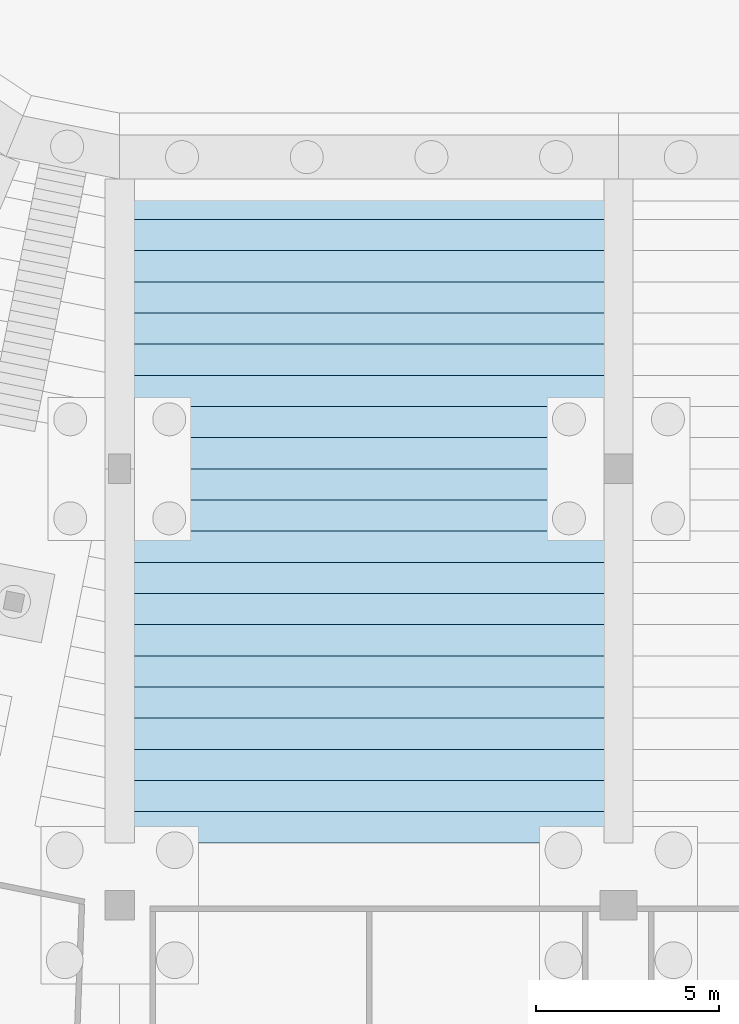
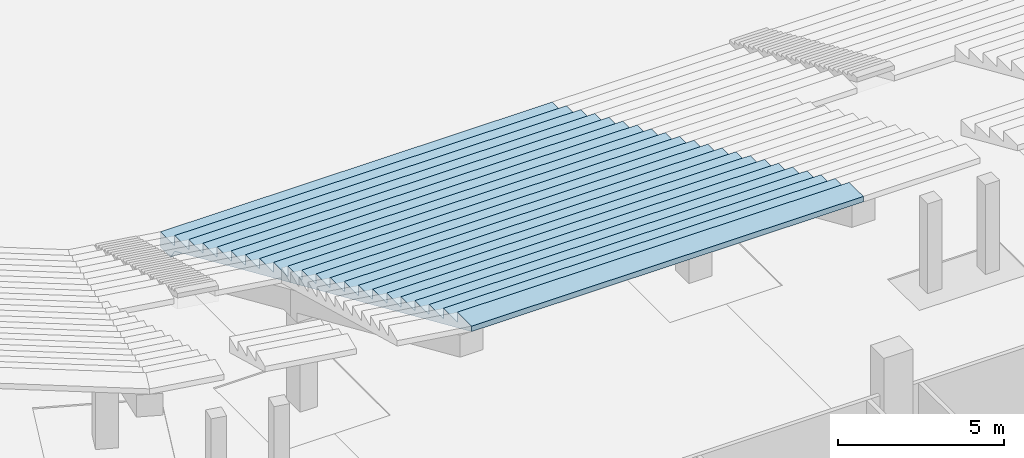
# One storey, part 42 of 115: 1 slab.
"""IFC4 building model written with IfcOpenShell, lengths in metres."""

from ifc_helpers import new_model, si_unit, direction, frame, origin, place, context, subcontext, project, spatial, faceted_brep, material, layer, layer_set, type_object, element, save


model = new_model("IFC4")

# Units and contexts
model_context = context("Model", 3, precision=1e-05, world=origin(), true_north=direction((0.0, 1.0)))
body_context = subcontext(model_context, "Body", "Model", "MODEL_VIEW")
ifc_project = project(units=[si_unit("LENGTHUNIT", "METRE"), si_unit("AREAUNIT", "SQUARE_METRE"), si_unit("VOLUMEUNIT", "CUBIC_METRE"), si_unit("PLANEANGLEUNIT", "RADIAN"), si_unit("MASSUNIT", "GRAM", prefix="KILO")], contexts=[model_context])

# Site, building, storey
site_placement = place(None, origin())
site = spatial("IfcSite", under=ifc_project, at=site_placement, CompositionType="ELEMENT")
building_placement = place(site_placement, origin())
building = spatial("IfcBuilding", under=site, at=building_placement, Name="Ogive Plaza Stadium", CompositionType="ELEMENT")
storey_placement = place(building_placement, frame((0.0, 0.0, -4.5)))
storey = spatial("IfcBuildingStorey", under=building, at=storey_placement, Name="B1", CompositionType="ELEMENT", Elevation=-4.5)

# Slab
ifc_material = material(Name="Concrete C45/55 precast", Category="concrete")
ifc_layer = layer(ifc_material, 0.574951171875)
ifc_layer_set = layer_set([ifc_layer], Name="Concrete C45/55 precast")
slab_type = type_object("IfcSlabType", Name="Seating tier LT 575", PredefinedType="USERDEFINED", material=ifc_layer_set)
slab_placement = place(storey_placement, origin())
element("IfcSlab", 1, at=slab_placement, inside=storey, type_object=slab_type, Name="Stand LT B16", ObjectType="SEATING TIER", PredefinedType="USERDEFINED", context=body_context, shape_type="Brep", body=[
    faceted_brep([(-34.0, -60.0, 1.125), (-34.0, -60.60009765625, 1.125), (-20.39990234375, -60.60009765625, 1.125), (-20.39990234375, -60.0, 1.125), (-34.0, -60.85009765625, 1.125), (-20.39990234375, -60.85009765625, 1.125), (-34.0, -60.60009765625, 0.550048828125), (-20.39990234375, -60.0, 0.550048828125), (-20.39990234375, -60.60009765625, 0.550048828125), (-34.0, -60.0, 0.550048828125), (-20.39990234375, -60.85009765625, 0.925048828125), (-20.39990234375, -60.85009765625, 1.5), (-20.39990234375, -61.699951171875, 1.5), (-20.39990234375, -61.699951171875, 1.300048828125), (-20.39990234375, -61.699951171875, 1.875), (-20.39990234375, -62.550048828125, 1.875), (-20.39990234375, -62.550048828125, 1.675048828125), (-20.39990234375, -62.550048828125, 2.25), (-20.39990234375, -63.39990234375, 2.25), (-20.39990234375, -63.39990234375, 2.050048828125), (-20.39990234375, -63.39990234375, 2.625), (-20.39990234375, -64.25, 2.625), (-20.39990234375, -64.25, 2.425048828125), (-20.39990234375, -64.25, 3.0), (-20.39990234375, -65.10009765625, 3.0), (-20.39990234375, -65.10009765625, 2.800048828125), (-20.39990234375, -65.10009765625, 3.375), (-20.39990234375, -65.949951171875, 3.375), (-20.39990234375, -65.949951171875, 3.175048828125), (-20.39990234375, -65.949951171875, 3.75), (-20.39990234375, -66.800048828125, 3.75), (-20.39990234375, -66.800048828125, 3.550048828125), (-20.39990234375, -66.800048828125, 4.125), (-20.39990234375, -67.64990234375, 4.125), (-20.39990234375, -67.64990234375, 3.925048828125), (-20.39990234375, -67.64990234375, 4.5), (-20.39990234375, -68.5, 4.5), (-20.39990234375, -68.5, 4.300048828125), (-20.39990234375, -68.5, 4.875), (-20.39990234375, -69.35009765625, 4.875), (-20.39990234375, -69.35009765625, 4.675048828125), (-20.39990234375, -69.35009765625, 5.25), (-20.39990234375, -70.199951171875, 5.25), (-20.39990234375, -70.199951171875, 5.050048828125), (-20.39990234375, -70.199951171875, 5.625), (-20.39990234375, -71.050048828125, 5.625), (-20.39990234375, -71.050048828125, 5.425048828125), (-20.39990234375, -71.050048828125, 6.0), (-20.39990234375, -71.89990234375, 6.0), (-20.39990234375, -71.89990234375, 5.800048828125), (-20.39990234375, -71.89990234375, 6.375), (-20.39990234375, -72.75, 6.375), (-20.39990234375, -72.75, 6.175048828125), (-20.39990234375, -72.75, 6.75), (-20.39990234375, -73.60009765625, 6.75), (-20.39990234375, -73.60009765625, 6.550048828125), (-20.39990234375, -73.60009765625, 7.125), (-20.39990234375, -74.449951171875, 7.125), (-20.39990234375, -74.449951171875, 6.925048828125), (-20.39990234375, -74.449951171875, 7.5), (-20.39990234375, -75.300048828125, 7.5), (-20.39990234375, -75.300048828125, 7.300048828125), (-20.39990234375, -75.300048828125, 7.875), (-20.39990234375, -76.14990234375, 7.875), (-20.39990234375, -76.14990234375, 7.675048828125), (-20.39990234375, -76.14990234375, 8.25), (-20.39990234375, -77.0, 8.25), (-20.39990234375, -77.0, 8.050048828125), (-20.39990234375, -77.0, 8.625), (-20.39990234375, -77.85009765625, 8.625), (-20.39990234375, -77.85009765625, 8.425048828125), (-20.39990234375, -77.85009765625, 9.0), (-20.39990234375, -78.699951171875, 9.0), (-20.39990234375, -78.699951171875, 8.800048828125), (-34.0, -60.85009765625, 0.925048828125), (-34.0, -61.699951171875, 1.5), (-34.0, -60.85009765625, 1.5), (-34.0, -61.699951171875, 1.300048828125), (-34.0, -62.550048828125, 1.875), (-34.0, -61.699951171875, 1.875), (-34.0, -62.550048828125, 1.675048828125), (-34.0, -63.39990234375, 2.25), (-34.0, -62.550048828125, 2.25), (-34.0, -63.39990234375, 2.050048828125), (-34.0, -64.25, 2.625), (-34.0, -63.39990234375, 2.625), (-34.0, -64.25, 2.425048828125), (-34.0, -65.10009765625, 3.0), (-34.0, -64.25, 3.0), (-34.0, -65.10009765625, 2.800048828125), (-34.0, -65.949951171875, 3.375), (-34.0, -65.10009765625, 3.375), (-34.0, -65.949951171875, 3.175048828125), (-34.0, -66.800048828125, 3.75), (-34.0, -65.949951171875, 3.75), (-34.0, -66.800048828125, 3.550048828125), (-34.0, -67.64990234375, 4.125), (-34.0, -66.800048828125, 4.125), (-34.0, -67.64990234375, 3.925048828125), (-34.0, -68.5, 4.5), (-34.0, -67.64990234375, 4.5), (-34.0, -68.5, 4.300048828125), (-34.0, -69.35009765625, 4.875), (-34.0, -68.5, 4.875), (-34.0, -69.35009765625, 4.675048828125), (-34.0, -70.199951171875, 5.25), (-34.0, -69.35009765625, 5.25), (-34.0, -70.199951171875, 5.050048828125), (-34.0, -71.050048828125, 5.625), (-34.0, -70.199951171875, 5.625), (-34.0, -71.050048828125, 5.425048828125), (-34.0, -71.89990234375, 6.0), (-34.0, -71.050048828125, 6.0), (-34.0, -71.89990234375, 5.800048828125), (-34.0, -72.75, 6.375), (-34.0, -71.89990234375, 6.375), (-34.0, -72.75, 6.175048828125), (-34.0, -73.60009765625, 6.75), (-34.0, -72.75, 6.75), (-34.0, -73.60009765625, 6.550048828125), (-34.0, -74.449951171875, 7.125), (-34.0, -73.60009765625, 7.125), (-34.0, -74.449951171875, 6.925048828125), (-34.0, -75.300048828125, 7.5), (-34.0, -74.449951171875, 7.5), (-34.0, -75.300048828125, 7.300048828125), (-34.0, -76.14990234375, 7.875), (-34.0, -75.300048828125, 7.875), (-34.0, -76.14990234375, 7.675048828125), (-34.0, -77.0, 8.25), (-34.0, -76.14990234375, 8.25), (-34.0, -77.0, 8.050048828125), (-34.0, -77.85009765625, 8.625), (-34.0, -77.0, 8.625), (-34.0, -77.85009765625, 8.425048828125), (-34.0, -78.699951171875, 9.0), (-34.0, -77.85009765625, 9.0), (-34.0, -78.699951171875, 8.800048828125)], [[[0, 1, 2]], [[2, 3, 0]], [[1, 4, 5]], [[5, 2, 1]], [[6, 7, 8]], [[6, 9, 7]], [[2, 8, 7]], [[7, 3, 2]], [[10, 8, 2]], [[10, 2, 5]], [[5, 11, 12]], [[12, 13, 10]], [[10, 5, 12]], [[12, 14, 15]], [[15, 16, 13]], [[13, 12, 15]], [[15, 17, 18]], [[18, 19, 16]], [[16, 15, 18]], [[18, 20, 21]], [[21, 22, 19]], [[19, 18, 21]], [[21, 23, 24]], [[24, 25, 22]], [[22, 21, 24]], [[24, 26, 27]], [[27, 28, 25]], [[25, 24, 27]], [[27, 29, 30]], [[30, 31, 28]], [[28, 27, 30]], [[30, 32, 33]], [[33, 34, 31]], [[31, 30, 33]], [[33, 35, 36]], [[36, 37, 34]], [[34, 33, 36]], [[36, 38, 39]], [[39, 40, 37]], [[37, 36, 39]], [[39, 41, 42]], [[42, 43, 40]], [[40, 39, 42]], [[42, 44, 45]], [[45, 46, 43]], [[43, 42, 45]], [[45, 47, 48]], [[48, 49, 46]], [[46, 45, 48]], [[48, 50, 51]], [[51, 52, 49]], [[49, 48, 51]], [[51, 53, 54]], [[54, 55, 52]], [[52, 51, 54]], [[54, 56, 57]], [[57, 58, 55]], [[55, 54, 57]], [[57, 59, 60]], [[60, 61, 58]], [[58, 57, 60]], [[60, 62, 63]], [[63, 64, 61]], [[61, 60, 63]], [[63, 65, 66]], [[66, 67, 64]], [[64, 63, 66]], [[66, 68, 69]], [[69, 70, 67]], [[67, 66, 69]], [[69, 71, 72]], [[72, 73, 70]], [[70, 69, 72]], [[3, 7, 9]], [[9, 0, 3]], [[0, 9, 6]], [[6, 1, 0]], [[1, 6, 74]], [[74, 4, 1]], [[75, 76, 4]], [[4, 74, 77]], [[77, 75, 4]], [[78, 79, 75]], [[75, 77, 80]], [[80, 78, 75]], [[81, 82, 78]], [[78, 80, 83]], [[83, 81, 78]], [[84, 85, 81]], [[81, 83, 86]], [[86, 84, 81]], [[87, 88, 84]], [[84, 86, 89]], [[89, 87, 84]], [[90, 91, 87]], [[87, 89, 92]], [[92, 90, 87]], [[93, 94, 90]], [[90, 92, 95]], [[95, 93, 90]], [[96, 97, 93]], [[93, 95, 98]], [[98, 96, 93]], [[99, 100, 96]], [[96, 98, 101]], [[101, 99, 96]], [[102, 103, 99]], [[99, 101, 104]], [[104, 102, 99]], [[105, 106, 102]], [[102, 104, 107]], [[107, 105, 102]], [[108, 109, 105]], [[105, 107, 110]], [[110, 108, 105]], [[111, 112, 108]], [[108, 110, 113]], [[113, 111, 108]], [[114, 115, 111]], [[111, 113, 116]], [[116, 114, 111]], [[117, 118, 114]], [[114, 116, 119]], [[119, 117, 114]], [[120, 121, 117]], [[117, 119, 122]], [[122, 120, 117]], [[123, 124, 120]], [[120, 122, 125]], [[125, 123, 120]], [[126, 127, 123]], [[123, 125, 128]], [[128, 126, 123]], [[129, 130, 126]], [[126, 128, 131]], [[131, 129, 126]], [[132, 133, 129]], [[129, 131, 134]], [[134, 132, 129]], [[135, 136, 132]], [[132, 134, 137]], [[137, 135, 132]], [[74, 8, 10]], [[74, 6, 8]], [[11, 5, 4]], [[4, 76, 11]], [[76, 75, 12]], [[12, 11, 76]], [[77, 10, 13]], [[77, 74, 10]], [[80, 13, 16]], [[80, 77, 13]], [[83, 16, 19]], [[83, 80, 16]], [[86, 19, 22]], [[86, 83, 19]], [[89, 22, 25]], [[89, 86, 22]], [[92, 25, 28]], [[92, 89, 25]], [[95, 28, 31]], [[95, 92, 28]], [[98, 31, 34]], [[98, 95, 31]], [[101, 34, 37]], [[101, 98, 34]], [[104, 37, 40]], [[104, 101, 37]], [[107, 40, 43]], [[107, 104, 40]], [[110, 43, 46]], [[110, 107, 43]], [[113, 46, 49]], [[113, 110, 46]], [[116, 49, 52]], [[116, 113, 49]], [[119, 52, 55]], [[119, 116, 52]], [[122, 55, 58]], [[122, 119, 55]], [[125, 58, 61]], [[125, 122, 58]], [[128, 61, 64]], [[128, 125, 61]], [[14, 12, 75]], [[75, 79, 14]], [[79, 78, 15]], [[15, 14, 79]], [[17, 15, 78]], [[78, 82, 17]], [[82, 81, 18]], [[18, 17, 82]], [[20, 18, 81]], [[81, 85, 20]], [[85, 84, 21]], [[21, 20, 85]], [[23, 21, 84]], [[84, 88, 23]], [[88, 87, 24]], [[24, 23, 88]], [[26, 24, 87]], [[87, 91, 26]], [[91, 90, 27]], [[27, 26, 91]], [[29, 27, 90]], [[90, 94, 29]], [[94, 93, 30]], [[30, 29, 94]], [[32, 30, 93]], [[93, 97, 32]], [[97, 96, 33]], [[33, 32, 97]], [[35, 33, 96]], [[96, 100, 35]], [[100, 99, 36]], [[36, 35, 100]], [[38, 36, 99]], [[99, 103, 38]], [[103, 102, 39]], [[39, 38, 103]], [[41, 39, 102]], [[102, 106, 41]], [[106, 105, 42]], [[42, 41, 106]], [[44, 42, 105]], [[105, 109, 44]], [[109, 108, 45]], [[45, 44, 109]], [[47, 45, 108]], [[108, 112, 47]], [[112, 111, 48]], [[48, 47, 112]], [[50, 48, 111]], [[111, 115, 50]], [[115, 114, 51]], [[51, 50, 115]], [[53, 51, 114]], [[114, 118, 53]], [[118, 117, 54]], [[54, 53, 118]], [[56, 54, 117]], [[117, 121, 56]], [[121, 120, 57]], [[57, 56, 121]], [[59, 57, 120]], [[120, 124, 59]], [[124, 123, 60]], [[60, 59, 124]], [[62, 60, 123]], [[123, 127, 62]], [[127, 126, 63]], [[63, 62, 127]], [[65, 63, 126]], [[126, 130, 65]], [[130, 129, 66]], [[66, 65, 130]], [[131, 64, 67]], [[131, 128, 64]], [[134, 67, 70]], [[134, 131, 67]], [[137, 70, 73]], [[137, 134, 70]], [[68, 66, 129]], [[129, 133, 68]], [[133, 132, 69]], [[69, 68, 133]], [[71, 69, 132]], [[132, 136, 71]], [[136, 135, 72]], [[72, 71, 136]], [[135, 137, 73]], [[73, 72, 135]]]),
])

save(model, "model.ifc")
